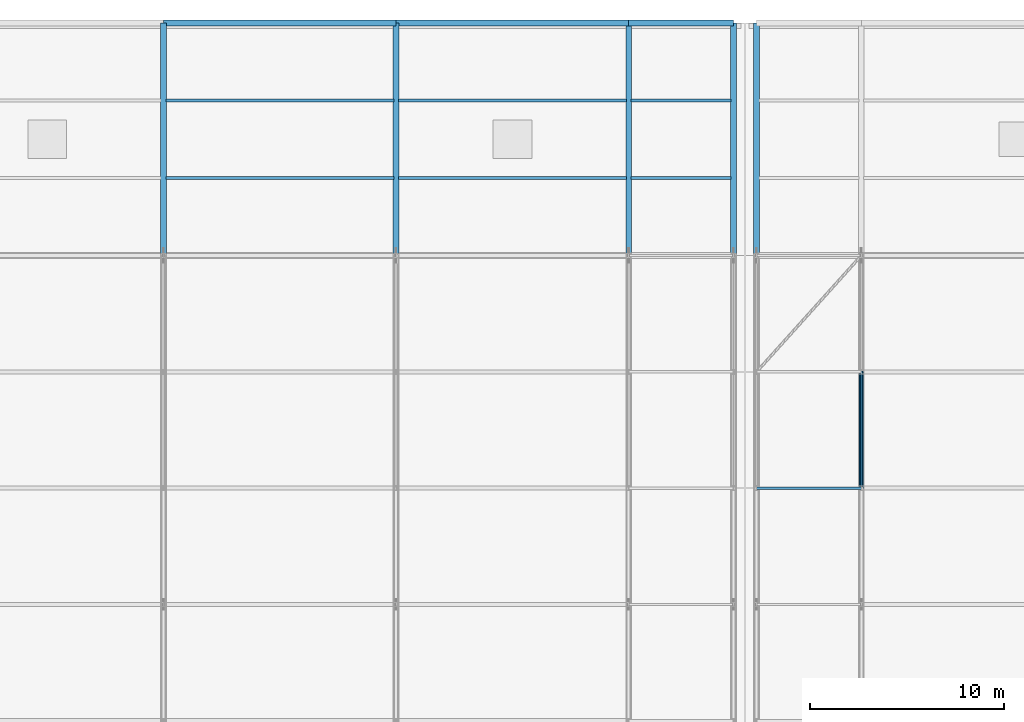
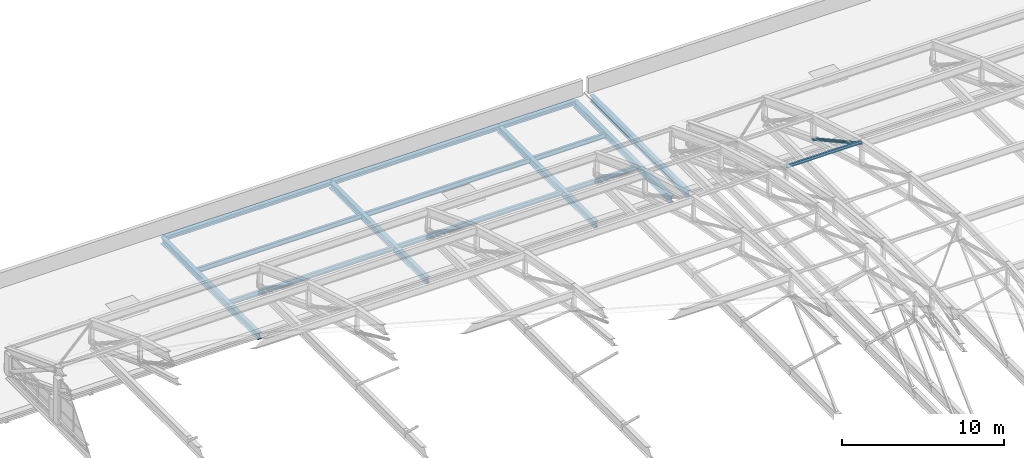
# One storey, part 148 of 204: 14 beams, 2 members.
"""IFC4 building model written with IfcOpenShell, lengths in metres."""

from ifc_helpers import new_model, si_unit, direction, frame, origin, origin_2d, place, context, subcontext, project, spatial, hollow_circle, i_section, extrude, material, material_profile, profile_set, type_object, element, save


model = new_model("IFC4")

# Units and contexts
model_context = context("Model", 3, precision=1e-05, world=origin(), true_north=direction((0.0, 1.0)))
body_context = subcontext(model_context, "Body", "Model", "MODEL_VIEW")
ifc_project = project(units=[si_unit("LENGTHUNIT", "METRE"), si_unit("AREAUNIT", "SQUARE_METRE"), si_unit("VOLUMEUNIT", "CUBIC_METRE"), si_unit("PLANEANGLEUNIT", "RADIAN"), si_unit("MASSUNIT", "GRAM", prefix="KILO")], contexts=[model_context])

# Site, building, storey
site_placement = place(None, origin())
site = spatial("IfcSite", under=ifc_project, at=site_placement, CompositionType="ELEMENT")
building_placement = place(site_placement, origin())
building = spatial("IfcBuilding", under=site, at=building_placement, Name="Zilviju Railside Exhibition Hall", CompositionType="ELEMENT")
storey_placement = place(building_placement, frame((0.0, 0.0, 21.0)))
storey = spatial("IfcBuildingStorey", under=building, at=storey_placement, Name="RF", CompositionType="ELEMENT", Elevation=21.0)

# Beams
ifc_material = material(Name="Steel S355J2", Category="steel")
ifc_material_profile_1 = material_profile(ifc_material, i_section(OverallWidth=0.300048828125, OverallDepth=0.2900390625, WebThickness=0.008544921875, FlangeThickness=0.013916015625, at=origin_2d()), Name="HEA 300")
ifc_profile_set_1 = profile_set([ifc_material_profile_1], Name="Steel S355J2")
beam_type_1 = type_object("IfcBeamType", Name="BM-HEA300", PredefinedType="SPANDREL", material=ifc_profile_set_1)
for number, where, z_axis, x_axis, name in (
    (1, (96.0, 150.0, -7.094970703125), (1.0, 0.0, 0.0), (0.0, 1.0, 0.0), "Logistics Roof Beam Y=150.0 (96.0..108.0)"),
    (2, (108.0, 150.0, -7.094970703125), (1.0, 0.0, 0.0), (0.0, 1.0, 0.0), "Logistics Roof Beam Y=150.0 (108.0..120.0)"),
):
    element("IfcBeam", number, at=place(storey_placement, frame(where, z_axis=z_axis, x_axis=x_axis)), inside=storey, type_object=beam_type_1, Name=name, PredefinedType="SPANDREL", context=body_context, shape_type="SweptSolid", body=[
        extrude(i_section(OverallWidth=0.300048828125, OverallDepth=0.2900390625, WebThickness=0.008544921875, FlangeThickness=0.013916015625, at=origin_2d()), origin(), (0.0, 0.0, 1.0), 12.0),
    ])
beam_placement = place(storey_placement, frame((120.0, 150.0, -7.094970703125), z_axis=(1.0, 0.0, 0.0), x_axis=(0.0, 1.0, 0.0)))
element("IfcBeam", 3, at=beam_placement, inside=storey, type_object=beam_type_1, Name="Logistics Roof Beam Y=150.0 (120.0..125.4)", PredefinedType="SPANDREL", context=body_context, shape_type="SweptSolid", body=[
    extrude(i_section(OverallWidth=0.300048828125, OverallDepth=0.2900390625, WebThickness=0.008544921875, FlangeThickness=0.013916015625, at=origin_2d()), origin(), (0.0, 0.0, 1.0), 5.39990234375),
])
ifc_material_profile_2 = material_profile(ifc_material, i_section(OverallWidth=0.300048828125, OverallDepth=0.5, WebThickness=0.014404296875, FlangeThickness=0.028076171875, at=origin_2d()), Name="HEB 500")
ifc_profile_set_2 = profile_set([ifc_material_profile_2], Name="Steel S355J2")
beam_type_2 = type_object("IfcBeamType", Name="BM-HEB500", PredefinedType="BEAM", material=ifc_profile_set_2)
for number, where, z_axis, x_axis, name in (
    (4, (96.0, 138.0, -7.199951171875), (0.0, 1.0, 0.0), (-1.0, 0.0, 0.0), "Logistics Roof Girder X=96.0"),
    (5, (108.0, 138.0, -7.199951171875), (0.0, 1.0, 0.0), (-1.0, 0.0, 0.0), "Logistics Roof Girder X=108.0"),
    (6, (120.0, 138.0, -7.199951171875), (0.0, 1.0, 0.0), (-1.0, 0.0, 0.0), "Logistics Roof Girder X=120.0"),
    (7, (125.39990234375, 138.0, -7.199951171875), (0.0, 1.0, 0.0), (-1.0, 0.0, 0.0), "Logistics Roof Girder X=125.4"),
    (8, (126.60009765625, 138.0, -7.199951171875), (0.0, 1.0, 0.0), (-1.0, 0.0, 0.0), "Logistics Roof Girder X=126.6"),
):
    element("IfcBeam", number, at=place(storey_placement, frame(where, z_axis=z_axis, x_axis=x_axis)), inside=storey, type_object=beam_type_2, Name=name, PredefinedType="BEAM", context=body_context, shape_type="SweptSolid", body=[
        extrude(i_section(OverallWidth=0.300048828125, OverallDepth=0.5, WebThickness=0.014404296875, FlangeThickness=0.028076171875, at=origin_2d()), origin(), (0.0, 0.0, 1.0), 12.0),
    ])
ifc_material_profile_3 = material_profile(ifc_material, i_section(OverallWidth=0.169921875, OverallDepth=0.360107421875, WebThickness=0.008056640625, FlangeThickness=0.0126953125, at=origin_2d()), Name="IPE 360")
ifc_profile_set_3 = profile_set([ifc_material_profile_3], Name="Steel S355J2")
beam_type_3 = type_object("IfcBeamType", Name="BM-IPE360", PredefinedType="JOIST", material=ifc_profile_set_3)
for number, where, z_axis, x_axis, name in (
    (9, (96.1201171875, 142.0, -7.1298828125), (1.0, 0.0, 0.0), (0.0, 1.0, 0.0), "Logistics Roof Beam Y=142.0 (96.0..108.0)"),
    (10, (96.1201171875, 146.0, -7.1298828125), (1.0, 0.0, 0.0), (0.0, 1.0, 0.0), "Logistics Roof Beam Y=146.0 (96.0..108.0)"),
    (11, (108.1201171875, 142.0, -7.1298828125), (1.0, 0.0, 0.0), (0.0, 1.0, 0.0), "Logistics Roof Beam Y=142.0 (108.0..120.0)"),
    (12, (108.1201171875, 146.0, -7.1298828125), (1.0, 0.0, 0.0), (0.0, 1.0, 0.0), "Logistics Roof Beam Y=146.0 (108.0..120.0)"),
):
    element("IfcBeam", number, at=place(storey_placement, frame(where, z_axis=z_axis, x_axis=x_axis)), inside=storey, type_object=beam_type_3, Name=name, PredefinedType="JOIST", context=body_context, shape_type="SweptSolid", body=[
        extrude(i_section(OverallWidth=0.169921875, OverallDepth=0.360107421875, WebThickness=0.008056640625, FlangeThickness=0.0126953125, at=origin_2d()), origin(), (0.0, 0.0, 1.0), 11.759765625),
    ])
for number, where, z_axis, x_axis, name in (
    (13, (120.1201171875, 142.0, -7.1298828125), (1.0, 0.0, 0.0), (0.0, 1.0, 0.0), "Logistics Roof Beam Y=142.0 (120.0..125.4)"),
    (14, (120.1201171875, 146.0, -7.1298828125), (1.0, 0.0, 0.0), (0.0, 1.0, 0.0), "Logistics Roof Beam Y=146.0 (120.0..125.4)"),
):
    element("IfcBeam", number, at=place(storey_placement, frame(where, z_axis=z_axis, x_axis=x_axis)), inside=storey, type_object=beam_type_3, Name=name, PredefinedType="JOIST", context=body_context, shape_type="SweptSolid", body=[
        extrude(i_section(OverallWidth=0.169921875, OverallDepth=0.360107421875, WebThickness=0.008056640625, FlangeThickness=0.0126953125, at=origin_2d()), origin(), (0.0, 0.0, 1.0), 5.159912109375),
    ])

# Members
ifc_material_profile_4 = material_profile(ifc_material, hollow_circle(Radius=0.109619140625, WallThickness=0.010009765625, at=origin_2d()), Name="CHS 219.1x10.0")
ifc_profile_set_4 = profile_set([ifc_material_profile_4], Name="Steel S355J2")
member_type_1 = type_object("IfcMemberType", Name="TR-BR-CHS219", PredefinedType="BRACE", material=ifc_profile_set_4)
member_1_placement = place(storey_placement, frame((132.0, 126.0, 2.009765625), z_axis=(0.0, 0.8750828143, -0.483973210122), x_axis=(-1.0, 0.0, 0.0)))
element("IfcMember", 15, at=member_1_placement, inside=storey, type_object=member_type_1, Name="V2 Parabolic Arch Web Diagonal X=132.0 P8", PredefinedType="BRACE", context=body_context, shape_type="SweptSolid", body=[
    extrude(hollow_circle(Radius=0.109619140625, WallThickness=0.010009765625, at=origin_2d()), origin(), (0.0, 0.0, 1.0), 6.8564453125),
])
ifc_material_profile_5 = material_profile(ifc_material, i_section(OverallWidth=0.1201171875, OverallDepth=0.239990234375, WebThickness=0.006103515625, FlangeThickness=0.009765625, at=origin_2d()), Name="IPE 240")
ifc_profile_set_5 = profile_set([ifc_material_profile_5], Name="Steel S355J2")
member_type_2 = type_object("IfcMemberType", Name="TR-PUR-IPE240", PredefinedType="PURLIN", material=ifc_profile_set_5)
member_2_placement = place(storey_placement, frame((126.60009765625, 126.0, 2.14306640625), z_axis=(1.0, 0.0, 0.0), x_axis=(0.0, 1.0, 0.0)))
element("IfcMember", 16, at=member_2_placement, inside=storey, type_object=member_type_2, Name="V2 Barrel Vault Roof Purlin Y=126.0 (126.6..132.0)", PredefinedType="PURLIN", context=body_context, shape_type="SweptSolid", body=[
    extrude(i_section(OverallWidth=0.1201171875, OverallDepth=0.239990234375, WebThickness=0.006103515625, FlangeThickness=0.009765625, at=origin_2d()), origin(), (0.0, 0.0, 1.0), 5.39990234375),
])

save(model, "model.ifc")
